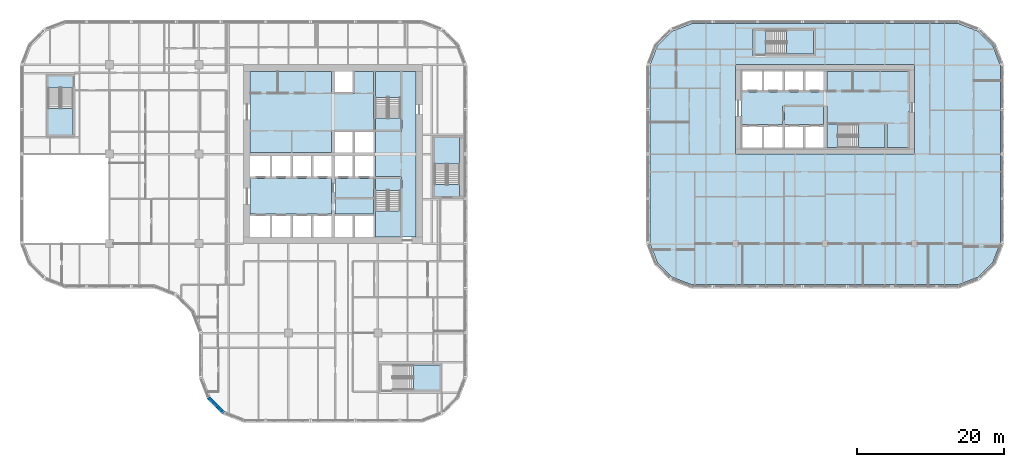
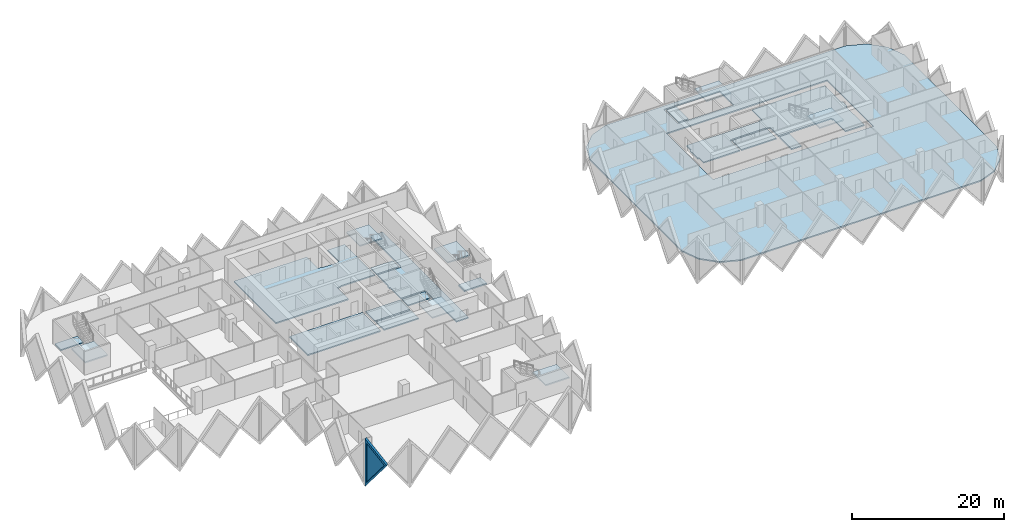
# One storey, part 3 of 19: 21 slabs, 1 plate, 1 wall, 1 opening, 7 elements without a shape of their own.
"""IFC4 building model written with IfcOpenShell, lengths in metres."""

from ifc_helpers import new_model, si_unit, direction, frame, origin, place, context, subcontext, project, spatial, polyline, outline, extrude, faceted_brep, source, transform, mapped, material, layer, layer_set, type_object, element, fill, aggregate, save


model = new_model("IFC4")

# Units and contexts
model_context = context("Model", 3, precision=1e-05, world=origin(), true_north=direction((0.0, 1.0)))
body_context = subcontext(model_context, "Body", "Model", "MODEL_VIEW")
ifc_project = project(units=[si_unit("LENGTHUNIT", "METRE"), si_unit("AREAUNIT", "SQUARE_METRE"), si_unit("VOLUMEUNIT", "CUBIC_METRE"), si_unit("PLANEANGLEUNIT", "RADIAN"), si_unit("MASSUNIT", "GRAM", prefix="KILO")], contexts=[model_context])

# Site, building, storey
site_placement = place(None, origin())
site = spatial("IfcSite", under=ifc_project, at=site_placement, CompositionType="ELEMENT")
building_placement = place(site_placement, origin())
building = spatial("IfcBuilding", under=site, at=building_placement, Name="Tessera Gate Towers", CompositionType="ELEMENT")
storey_placement = place(building_placement, frame((0.0, 0.0, 33.39990234375)))
storey = spatial("IfcBuildingStorey", under=building, at=storey_placement, Name="L07", CompositionType="ELEMENT", Elevation=33.39990234375)

# Slabs
ifc_material_1 = material(Name="Concrete C35/45", Category="concrete")
ifc_layer_1 = layer(ifc_material_1, 0.199951171875)
ifc_layer_set_1 = layer_set([ifc_layer_1], Name="COMPOSITE FLOOR 200")
slab_type_1 = type_object("IfcSlabType", Name="COMPOSITE FLOOR 200", PredefinedType="FLOOR", material=ifc_layer_set_1)
slab_1_placement = place(storey_placement, frame((0.0, 0.0, -0.199951171875)))
element("IfcSlab", 1, at=slab_1_placement, inside=storey, type_object=slab_type_1, Name="T2-L07", PredefinedType="FLOOR", context=body_context, shape_type="SweptSolid", body=[
    extrude(outline(polyline([(85.89990234375, 24.4931640625), (86.926025390625, 21.8330078125), (88.93310546875, 19.826171875), (91.593017578125, 18.800048828125), (128.0068359375, 18.800048828125), (130.6669921875, 19.826171875), (132.673828125, 21.8330078125), (133.699951171875, 24.4931640625), (133.699951171875, 48.706787109375), (132.673828125, 51.366943359375), (130.6669921875, 53.373779296875), (128.0068359375, 54.39990234375), (91.593017578125, 54.39990234375), (88.93310546875, 53.373779296875), (86.926025390625, 51.366943359375), (85.89990234375, 48.706787109375), (85.89990234375, 24.4931640625)]), holes=[polyline([(97.60009765625, 36.60009765625), (97.60009765625, 48.800048828125), (122.0, 48.800048828125), (122.0, 36.60009765625), (97.60009765625, 36.60009765625)]), polyline([(100.0, 50.0), (100.0, 53.699951171875), (108.5, 53.699951171875), (108.5, 50.0), (100.0, 50.0)])]), origin(), (0.0, 0.0, 1.0), 0.199951171875),
])
ifc_material_2 = material(Name="Concrete C35/45", Category="concrete")
ifc_layer_2 = layer(ifc_material_2, 0.199951171875)
ifc_layer_set_2 = layer_set([ifc_layer_2], Name="CORE FLOOR SLAB 200")
slab_type_2 = type_object("IfcSlabType", Name="CORE FLOOR SLAB 200", PredefinedType="FLOOR", material=ifc_layer_set_2)
slab_2_placement = place(storey_placement, frame((0.0, 0.0, -0.199951171875)))
element("IfcSlab", 2, at=slab_2_placement, inside=storey, type_object=slab_type_2, Name="L07 core floor slab", PredefinedType="FLOOR", context=body_context, shape_type="SweptSolid", body=[
    extrude(outline(polyline([(31.39990234375, 47.89990234375), (31.39990234375, 36.85009765625), (42.449951171875, 36.85009765625), (42.449951171875, 39.800048828125), (42.949951171875, 39.800048828125), (42.949951171875, 39.925048828125), (48.22509765625, 39.925048828125), (48.22509765625, 47.89990234375), (45.64990234375, 47.89990234375), (45.64990234375, 44.89990234375), (45.39990234375, 44.89990234375), (45.39990234375, 44.77490234375), (42.949951171875, 44.77490234375), (42.949951171875, 44.89990234375), (42.449951171875, 44.89990234375), (42.449951171875, 47.89990234375), (31.39990234375, 47.89990234375)])), origin(), (0.0, 0.0, 1.0), 0.199951171875),
])
slab_3_placement = place(storey_placement, frame((0.0, 0.0, -0.199951171875)))
element("IfcSlab", 3, at=slab_3_placement, inside=storey, type_object=slab_type_2, Name="L07 core floor slab", PredefinedType="FLOOR", context=body_context, shape_type="SweptSolid", body=[
    extrude(outline(polyline([(48.35009765625, 36.85009765625), (48.35009765625, 36.35009765625), (48.47509765625, 36.35009765625), (48.47509765625, 33.52490234375), (52.0, 33.52490234375), (52.0, 33.27490234375), (52.125, 33.27490234375), (52.125, 25.300048828125), (54.0, 25.300048828125), (54.0, 47.89990234375), (52.125, 47.89990234375), (52.125, 39.925048828125), (52.0, 39.925048828125), (52.0, 39.675048828125), (48.47509765625, 39.675048828125), (48.47509765625, 36.85009765625), (48.35009765625, 36.85009765625)])), origin(), (0.0, 0.0, 1.0), 0.199951171875),
])
slab_4_placement = place(storey_placement, frame((0.0, 0.0, -0.199951171875)))
element("IfcSlab", 4, at=slab_4_placement, inside=storey, type_object=slab_type_2, Name="L07 core floor slab", PredefinedType="FLOOR", context=body_context, shape_type="SweptSolid", body=[
    extrude(outline(polyline([(42.449951171875, 28.425048828125), (42.449951171875, 33.27490234375), (31.39990234375, 33.27490234375), (31.39990234375, 28.425048828125), (42.449951171875, 28.425048828125)])), origin(), (0.0, 0.0, 1.0), 0.199951171875),
])
slab_5_placement = place(storey_placement, frame((0.0, 0.0, -0.199951171875)))
element("IfcSlab", 5, at=slab_5_placement, inside=storey, type_object=slab_type_2, Name="L07 core floor slab", PredefinedType="FLOOR", context=body_context, shape_type="SweptSolid", body=[
    extrude(outline(polyline([(42.949951171875, 33.27490234375), (42.949951171875, 30.72509765625), (48.22509765625, 30.72509765625), (48.22509765625, 33.27490234375), (42.949951171875, 33.27490234375)])), origin(), (0.0, 0.0, 1.0), 0.199951171875),
])
slab_6_placement = place(storey_placement, frame((0.0, 0.0, -0.199951171875)))
element("IfcSlab", 6, at=slab_6_placement, inside=storey, type_object=slab_type_2, Name="L07 core floor slab", PredefinedType="FLOOR", context=body_context, shape_type="SweptSolid", body=[
    extrude(outline(polyline([(42.949951171875, 30.47509765625), (42.949951171875, 28.425048828125), (48.22509765625, 28.425048828125), (48.22509765625, 30.47509765625), (42.949951171875, 30.47509765625)])), origin(), (0.0, 0.0, 1.0), 0.199951171875),
])
slab_7_placement = place(storey_placement, frame((0.0, 0.0, -0.199951171875)))
element("IfcSlab", 7, at=slab_7_placement, inside=storey, type_object=slab_type_2, Name="L07 core floor slab", PredefinedType="FLOOR", context=body_context, shape_type="SweptSolid", body=[
    extrude(outline(polyline([(51.875, 31.675048828125), (51.875, 33.27490234375), (48.47509765625, 33.27490234375), (48.47509765625, 31.675048828125), (51.875, 31.675048828125)])), origin(), (0.0, 0.0, 1.0), 0.199951171875),
])
slab_8_placement = place(storey_placement, frame((0.0, 0.0, -0.199951171875)))
element("IfcSlab", 8, at=slab_8_placement, inside=storey, type_object=slab_type_2, Name="L07 core floor slab", PredefinedType="FLOOR", context=body_context, shape_type="SweptSolid", body=[
    extrude(outline(polyline([(48.47509765625, 41.52490234375), (48.47509765625, 39.925048828125), (51.875, 39.925048828125), (51.875, 41.52490234375), (48.47509765625, 41.52490234375)])), origin(), (0.0, 0.0, 1.0), 0.199951171875),
])
slab_9_placement = place(storey_placement, frame((0.0, 0.0, -0.199951171875)))
element("IfcSlab", 9, at=slab_9_placement, inside=storey, type_object=slab_type_2, Name="L07 ST3 floor landing", PredefinedType="FLOOR", context=body_context, shape_type="SweptSolid", body=[
    extrude(outline(polyline([(3.85009765625, 47.25), (3.85009765625, 45.64990234375), (7.25, 45.64990234375), (7.25, 47.25), (3.85009765625, 47.25)])), origin(), (0.0, 0.0, 1.0), 0.199951171875),
])
slab_10_placement = place(storey_placement, frame((0.0, 0.0, -0.199951171875)))
element("IfcSlab", 10, at=slab_10_placement, inside=storey, type_object=slab_type_2, Name="L07 ST5 floor landing", PredefinedType="FLOOR", context=body_context, shape_type="SweptSolid", body=[
    extrude(outline(polyline([(59.949951171875, 30.85009765625), (59.949951171875, 32.449951171875), (56.550048828125, 32.449951171875), (56.550048828125, 30.85009765625), (59.949951171875, 30.85009765625)])), origin(), (0.0, 0.0, 1.0), 0.199951171875),
])
slab_11_placement = place(storey_placement, frame((0.0, 0.0, -0.199951171875)))
element("IfcSlab", 11, at=slab_11_placement, inside=storey, type_object=slab_type_2, Name="L07 core floor slab", PredefinedType="FLOOR", context=body_context, shape_type="SweptSolid", body=[
    extrude(outline(polyline([(109.550048828125, 45.199951171875), (109.550048828125, 45.074951171875), (98.5, 45.074951171875), (98.5, 43.89990234375), (98.300048828125, 43.89990234375), (98.300048828125, 41.800048828125), (98.5, 41.800048828125), (98.5, 40.625), (104.02490234375, 40.625), (104.02490234375, 43.199951171875), (104.27490234375, 43.199951171875), (104.27490234375, 43.324951171875), (109.550048828125, 43.324951171875), (109.550048828125, 43.199951171875), (110.050048828125, 43.199951171875), (110.050048828125, 40.949951171875), (118.10009765625, 40.949951171875), (118.10009765625, 40.699951171875), (118.22509765625, 40.699951171875), (118.22509765625, 37.5), (121.10009765625, 37.5), (121.10009765625, 42.35009765625), (121.300048828125, 42.35009765625), (121.300048828125, 43.550048828125), (121.10009765625, 43.550048828125), (121.10009765625, 47.89990234375), (110.050048828125, 47.89990234375), (110.050048828125, 45.199951171875), (109.550048828125, 45.199951171875)])), origin(), (0.0, 0.0, 1.0), 0.199951171875),
])
slab_12_placement = place(storey_placement, frame((0.0, 0.0, -0.199951171875)))
element("IfcSlab", 12, at=slab_12_placement, inside=storey, type_object=slab_type_2, Name="L07 core floor slab", PredefinedType="FLOOR", context=body_context, shape_type="SweptSolid", body=[
    extrude(outline(polyline([(109.550048828125, 43.074951171875), (104.27490234375, 43.074951171875), (104.27490234375, 40.625), (109.550048828125, 40.625), (109.550048828125, 43.074951171875)])), origin(), (0.0, 0.0, 1.0), 0.199951171875),
])
slab_13_placement = place(storey_placement, frame((0.0, 0.0, -0.199951171875)))
element("IfcSlab", 13, at=slab_13_placement, inside=storey, type_object=slab_type_2, Name="L07 core floor slab", PredefinedType="FLOOR", context=body_context, shape_type="SweptSolid", body=[
    extrude(outline(polyline([(111.550048828125, 37.5), (111.550048828125, 40.699951171875), (110.050048828125, 40.699951171875), (110.050048828125, 37.5), (111.550048828125, 37.5)])), origin(), (0.0, 0.0, 1.0), 0.199951171875),
])
slab_14_placement = place(storey_placement, frame((0.0, 0.0, -0.199951171875)))
element("IfcSlab", 14, at=slab_14_placement, inside=storey, type_object=slab_type_2, Name="L07 ST7 floor landing", PredefinedType="FLOOR", context=body_context, shape_type="SweptSolid", body=[
    extrude(outline(polyline([(100.25, 50.25), (101.75, 50.25), (101.75, 53.449951171875), (100.25, 53.449951171875), (100.25, 50.25)])), origin(), (0.0, 0.0, 1.0), 0.199951171875),
])

# Stair, slab
ifc_material_3 = material(Name="Concrete C40/50", Category="concrete")
stair_type_1 = type_object("IfcStairType", Name="EXIT STAIR ST1 1600", PredefinedType="HALF_TURN_STAIR", material=ifc_material_3)
stair_1_placement = place(storey_placement, origin())
stair_1 = element("IfcStair", 15, at=stair_1_placement, inside=storey, type_object=stair_type_1, Name="L07 Protected Exit Stair ST1", PredefinedType="HALF_TURN_STAIR")
ifc_material_4 = material(Name="Concrete C40/50", Category="concrete")
ifc_layer_3 = layer(ifc_material_4, 0.199951171875)
ifc_layer_set_3 = layer_set([ifc_layer_3], Name="EXIT STAIR LANDING 200")
slab_type_3 = type_object("IfcSlabType", Name="EXIT STAIR LANDING 200", PredefinedType="LANDING", material=ifc_layer_set_3)
slab_15_placement = place(storey_placement, frame((0.0, 0.0, 1.7001953125)))
slab_15 = element("IfcSlab", 16, at=slab_15_placement, type_object=slab_type_3, Name="ST1 landing 1", PredefinedType="LANDING", context=body_context, shape_type="SweptSolid", body=[
    extrude(outline(polyline([(48.47509765625, 28.875), (48.47509765625, 25.300048828125), (51.875, 25.300048828125), (51.875, 28.875), (48.47509765625, 28.875)])), origin(), (0.0, 0.0, 1.0), 0.199951171875),
])
aggregate(stair_1, [slab_15])

ifc_material_5 = material(Name="Concrete C40/50", Category="concrete")
stair_type_2 = type_object("IfcStairType", Name="EXIT STAIR ST2 1600", PredefinedType="HALF_TURN_STAIR", material=ifc_material_5)
stair_2_placement = place(storey_placement, origin())
stair_2 = element("IfcStair", 17, at=stair_2_placement, inside=storey, type_object=stair_type_2, Name="L07 Protected Exit Stair ST2", PredefinedType="HALF_TURN_STAIR")
slab_16_placement = place(storey_placement, frame((0.0, 0.0, 1.7001953125)))
slab_16 = element("IfcSlab", 18, at=slab_16_placement, type_object=slab_type_3, Name="ST2 landing 1", PredefinedType="LANDING", context=body_context, shape_type="SweptSolid", body=[
    extrude(outline(polyline([(51.875, 44.324951171875), (51.875, 47.89990234375), (48.47509765625, 47.89990234375), (48.47509765625, 44.324951171875), (51.875, 44.324951171875)])), origin(), (0.0, 0.0, 1.0), 0.199951171875),
])
aggregate(stair_2, [slab_16])

ifc_material_6 = material(Name="Concrete C40/50", Category="concrete")
stair_type_3 = type_object("IfcStairType", Name="EXIT STAIR ST3 1600", PredefinedType="HALF_TURN_STAIR", material=ifc_material_6)
stair_3_placement = place(storey_placement, origin())
stair_3 = element("IfcStair", 19, at=stair_3_placement, inside=storey, type_object=stair_type_3, Name="L07 West Exit Stair ST3", PredefinedType="HALF_TURN_STAIR")
slab_17_placement = place(storey_placement, frame((0.0, 0.0, 1.7001953125)))
slab_17 = element("IfcSlab", 20, at=slab_17_placement, type_object=slab_type_3, Name="ST3 landing 1", PredefinedType="LANDING", context=body_context, shape_type="SweptSolid", body=[
    extrude(outline(polyline([(3.85009765625, 42.85009765625), (3.85009765625, 39.25), (7.25, 39.25), (7.25, 42.85009765625), (3.85009765625, 42.85009765625)])), origin(), (0.0, 0.0, 1.0), 0.199951171875),
])
aggregate(stair_3, [slab_17])

ifc_material_7 = material(Name="Concrete C40/50", Category="concrete")
stair_type_4 = type_object("IfcStairType", Name="EXIT STAIR ST4 1600", PredefinedType="HALF_TURN_STAIR", material=ifc_material_7)
stair_4_placement = place(storey_placement, origin())
stair_4 = element("IfcStair", 21, at=stair_4_placement, inside=storey, type_object=stair_type_4, Name="L07 South Exit Stair ST4", PredefinedType="HALF_TURN_STAIR")
slab_18_placement = place(storey_placement, frame((0.0, 0.0, 1.7001953125)))
slab_18 = element("IfcSlab", 22, at=slab_18_placement, type_object=slab_type_3, Name="ST4 landing 1", PredefinedType="LANDING", context=body_context, shape_type="SweptSolid", body=[
    extrude(outline(polyline([(53.64990234375, 4.449951171875), (57.25, 4.449951171875), (57.25, 7.85009765625), (53.64990234375, 7.85009765625), (53.64990234375, 4.449951171875)])), origin(), (0.0, 0.0, 1.0), 0.199951171875),
])
aggregate(stair_4, [slab_18])

ifc_material_8 = material(Name="Concrete C40/50", Category="concrete")
stair_type_5 = type_object("IfcStairType", Name="EXIT STAIR ST5 1600", PredefinedType="HALF_TURN_STAIR", material=ifc_material_8)
stair_5_placement = place(storey_placement, origin())
stair_5 = element("IfcStair", 23, at=stair_5_placement, inside=storey, type_object=stair_type_5, Name="L07 East Exit Stair ST5", PredefinedType="HALF_TURN_STAIR")
slab_19_placement = place(storey_placement, frame((0.0, 0.0, 1.7001953125)))
slab_19 = element("IfcSlab", 24, at=slab_19_placement, type_object=slab_type_3, Name="ST5 landing 1", PredefinedType="LANDING", context=body_context, shape_type="SweptSolid", body=[
    extrude(outline(polyline([(59.949951171875, 35.25), (59.949951171875, 38.85009765625), (56.550048828125, 38.85009765625), (56.550048828125, 35.25), (59.949951171875, 35.25)])), origin(), (0.0, 0.0, 1.0), 0.199951171875),
])
aggregate(stair_5, [slab_19])

ifc_material_9 = material(Name="Concrete C40/50", Category="concrete")
stair_type_6 = type_object("IfcStairType", Name="EXIT STAIR ST6 1500", PredefinedType="HALF_TURN_STAIR", material=ifc_material_9)
stair_6_placement = place(storey_placement, origin())
stair_6 = element("IfcStair", 25, at=stair_6_placement, inside=storey, type_object=stair_type_6, Name="L07 Protected Exit Stair ST6", PredefinedType="HALF_TURN_STAIR")
slab_20_placement = place(storey_placement, frame((0.0, 0.0, 1.7001953125)))
slab_20 = element("IfcSlab", 26, at=slab_20_placement, type_object=slab_type_3, Name="ST6 landing 1", PredefinedType="LANDING", context=body_context, shape_type="SweptSolid", body=[
    extrude(outline(polyline([(114.35009765625, 37.5), (117.97509765625, 37.5), (117.97509765625, 40.699951171875), (114.35009765625, 40.699951171875), (114.35009765625, 37.5)])), origin(), (0.0, 0.0, 1.0), 0.199951171875),
])
aggregate(stair_6, [slab_20])

ifc_material_10 = material(Name="Concrete C40/50", Category="concrete")
stair_type_7 = type_object("IfcStairType", Name="EXIT STAIR ST7 1500", PredefinedType="HALF_TURN_STAIR", material=ifc_material_10)
stair_7_placement = place(storey_placement, origin())
stair_7 = element("IfcStair", 27, at=stair_7_placement, inside=storey, type_object=stair_type_7, Name="L07 North Exit Stair ST7", PredefinedType="HALF_TURN_STAIR")
slab_21_placement = place(storey_placement, frame((0.0, 0.0, 1.7001953125)))
slab_21 = element("IfcSlab", 28, at=slab_21_placement, type_object=slab_type_3, Name="ST7 landing 1", PredefinedType="LANDING", context=body_context, shape_type="SweptSolid", body=[
    extrude(outline(polyline([(104.550048828125, 50.25), (108.25, 50.25), (108.25, 53.449951171875), (104.550048828125, 53.449951171875), (104.550048828125, 50.25)])), origin(), (0.0, 0.0, 1.0), 0.199951171875),
])
aggregate(stair_7, [slab_21])

# Wall, opening, plate
ifc_material_11 = material(Name="Precast concrete C60/75 white", Category="concrete")
ifc_layer_4 = layer(ifc_material_11, 0.5)
ifc_layer_set_4 = layer_set([ifc_layer_4], Name="TS3 corner tessera")
wall_type = type_object("IfcWallType", Name="TS3 corner tessera", PredefinedType="SOLIDWALL", material=ifc_layer_set_4)
shared_shape_1 = source(origin(), body_context, "Body", "Brep", [
    faceted_brep([(0.052978515625, -0.25, 0.0), (2.9970703125, -0.25, 3.7998046875), (0.052978515625, -0.25, 7.599853515625), (0.0, -0.25, 7.53173828125), (0.0, -0.25, 0.068115234375), (0.10595703125, 0.25, 7.531494140625), (2.944091796875, 0.25, 3.867919921875), (2.944091796875, 0.25, 3.731689453125), (0.10595703125, 0.25, 0.068359375), (2.9970703125, 0.000244140625, 3.7998046875), (0.052978515625, 0.0, 0.0), (0.052978515625, 0.0, 7.599853515625)], [[[0, 1, 2, 3, 4]], [[5, 6, 7, 8]], [[8, 7, 9, 1, 0, 10]], [[6, 5, 11, 2, 1, 9]], [[3, 2, 11]], [[10, 0, 4]], [[8, 10, 4, 3, 11, 5]], [[9, 7, 6]]]),
])
wall_placement = place(storey_placement, frame((25.674560546875, 3.43115234375, -3.7998046875), z_axis=(0.0, 0.0, 1.0), x_axis=(0.707106781187, -0.707106781187, 0.0)))
wall = element("IfcWall", 29, at=wall_placement, inside=storey, type_object=wall_type, Name="Precast corner tessera T1 TS3-0144", PredefinedType="SOLIDWALL", context=body_context, shape_type="MappedRepresentation", body=[
    mapped(shared_shape_1, transform((0.0, 0.0, 0.0), scale=1.0)),
])
shared_shape_2 = source(origin(), body_context, "Body", "SweptSolid", [
    extrude(outline(polyline([(0.2529296875, 0.666259765625), (2.680908203125, 3.7998046875), (0.2529296875, 6.93359375), (0.2529296875, 0.666259765625)])), frame((0.0, 0.260009765625, 0.0), z_axis=(0.0, -1.0, 0.0), x_axis=(1.0, 0.0, 0.0)), (0.0, 0.0, 1.0), 0.52001953125),
])
opening_placement = place(wall_placement, origin())
opening = element("IfcOpeningElement", 30, at=opening_placement, cuts=wall, Name="Opening T1-PL2-0140", PredefinedType="OPENING", context=body_context, shape_type="MappedRepresentation", body=[
    mapped(shared_shape_2, transform((0.0, 0.0, 0.0), scale=1.0)),
])
ifc_material_12 = material(Name="Low-e laminated glass", Category="glass")
ifc_layer_5 = layer(ifc_material_12, 0.06005859375)
ifc_layer_set_5 = layer_set([ifc_layer_5], Name="PL2 rhombic pane")
plate_type = type_object("IfcPlateType", Name="PL2 rhombic pane", PredefinedType="SHEET", material=ifc_layer_set_5)
shared_shape_3 = source(origin(), body_context, "Body", "SweptSolid", [
    extrude(outline(polyline([(0.2529296875, 0.666259765625), (2.680908203125, 3.7998046875), (0.2529296875, 6.93359375), (0.2529296875, 0.666259765625)])), frame((0.0, 0.030029296875, 0.0), z_axis=(0.0, -1.0, 0.0), x_axis=(1.0, 0.0, 0.0)), (0.0, 0.0, 1.0), 0.06005859375),
])
plate_placement = place(opening_placement, origin())
plate = element("IfcPlate", 31, at=plate_placement, inside=storey, type_object=plate_type, Name="Glass pane T1 PL2-0140", PredefinedType="SHEET", context=body_context, shape_type="MappedRepresentation", body=[
    mapped(shared_shape_3, transform((0.0, 0.0, 0.0), scale=1.0)),
])
fill(opening, plate)

save(model, "model.ifc")
